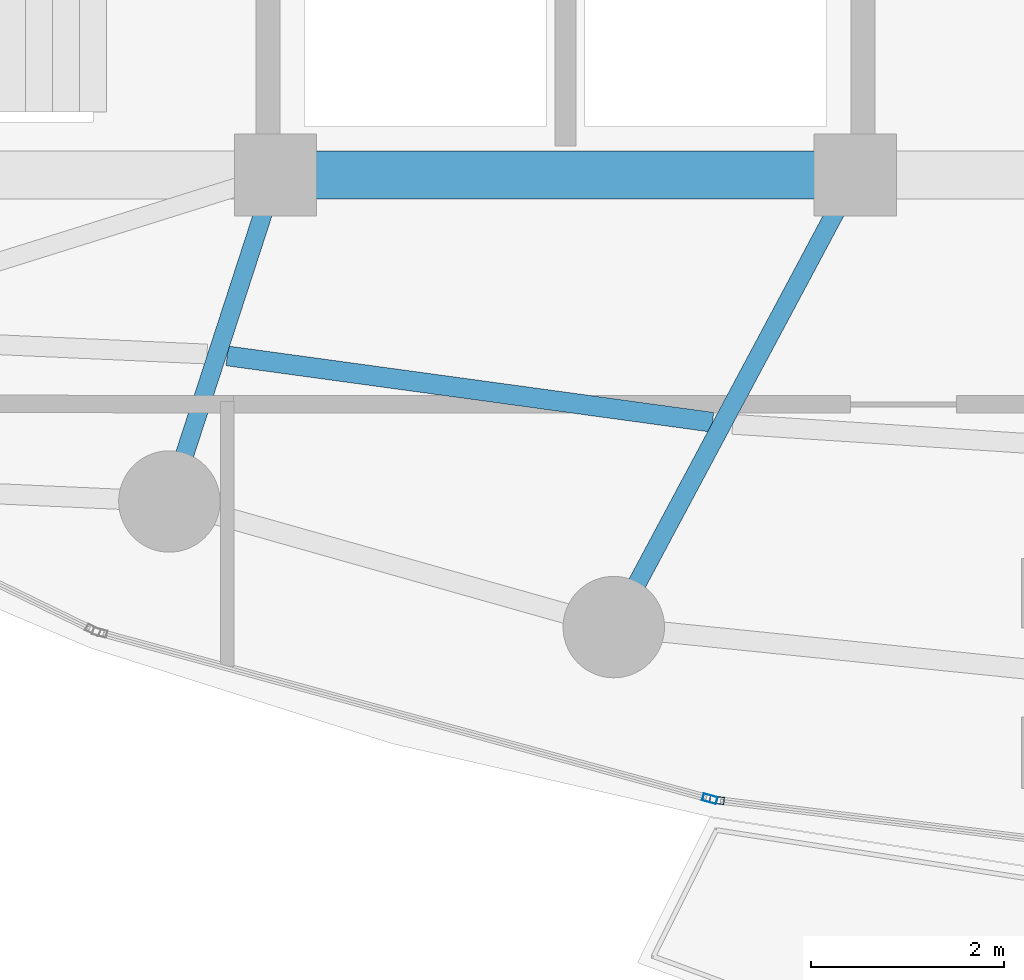
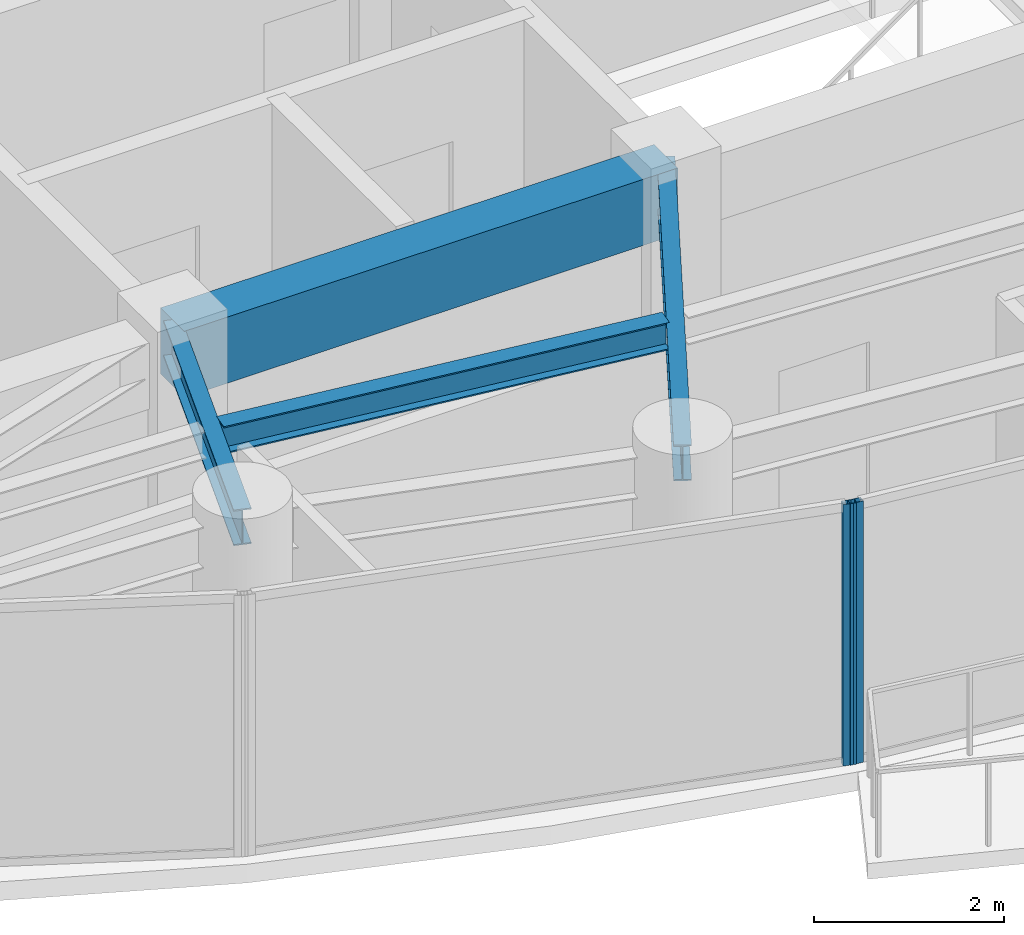
# One storey, part 5 of 31: 4 beams, 2 members, 2 elements without a shape of their own.
"""IFC4 building model written with IfcOpenShell, lengths in metres."""

from ifc_helpers import new_model, si_unit, direction, frame, origin, origin_2d, place, context, subcontext, project, spatial, rectangle, hollow_rectangle, i_section, extrude, material, layer, layer_set, material_profile, profile_set, type_object, element, aggregate, save


model = new_model("IFC4")

# Units and contexts
model_context = context("Model", 3, precision=1e-05, world=origin(), true_north=direction((0.0, 1.0)))
body_context = subcontext(model_context, "Body", "Model", "MODEL_VIEW")
ifc_project = project(units=[si_unit("LENGTHUNIT", "METRE"), si_unit("AREAUNIT", "SQUARE_METRE"), si_unit("VOLUMEUNIT", "CUBIC_METRE"), si_unit("PLANEANGLEUNIT", "RADIAN"), si_unit("MASSUNIT", "GRAM", prefix="KILO")], contexts=[model_context])

# Site, building, storey
site_placement = place(None, origin())
site = spatial("IfcSite", under=ifc_project, at=site_placement, CompositionType="ELEMENT")
building_placement = place(site_placement, origin())
building = spatial("IfcBuilding", under=site, at=building_placement, Name="Kazevale Care Tower and Concert Hall", CompositionType="ELEMENT")
storey_placement = place(building_placement, frame((0.0, 0.0, 210.0)))
storey = spatial("IfcBuildingStorey", under=building, at=storey_placement, Name="L55", CompositionType="ELEMENT", Elevation=210.0)

# Curtain wall, member
ifc_material_1 = material(Name="Aluminium 6063-T6 and Low-E Glass", Category="aluminium")
ifc_layer = layer(ifc_material_1, 0.179931640625)
ifc_layer_set = layer_set([ifc_layer], Name="Aluminium 6063-T6 and Low-E Glass")
curtain_wall_type = type_object("IfcCurtainWallType", Name="Sheltered Concave Balcony Curtain Wall CW-5", PredefinedType="NOTDEFINED", material=ifc_layer_set)
curtain_wall_1_placement = place(storey_placement, origin())
curtain_wall_1 = element("IfcCurtainWall", 1, at=curtain_wall_1_placement, inside=storey, type_object=curtain_wall_type, Name="cw:L55:f07", PredefinedType="NOTDEFINED")
ifc_material_2 = material(Name="Aluminium 6063-T6", Category="aluminium")
ifc_material_profile_1 = material_profile(ifc_material_2, hollow_rectangle(XDim=0.074951171875, YDim=0.14990234375, WallThickness=0.00390625, at=origin_2d()), Name="ALU75x150x4")
ifc_profile_set_1 = profile_set([ifc_material_profile_1], Name="Aluminium 6063-T6")
member_type = type_object("IfcMemberType", Name="CW-5 Mullion ALU75x150x4", PredefinedType="MULLION", material=ifc_profile_set_1)
member_1_placement = place(storey_placement, frame((34.568115234375, 17.12841796875, 0.0), z_axis=(0.0, 0.0, 1.0), x_axis=(-0.121650797964, -0.992572961225, 0.0)))
member_1 = element("IfcMember", 2, at=member_1_placement, type_object=member_type, Name="CW-5 mullion 2", PredefinedType="MULLION", context=body_context, shape_type="SweptSolid", body=[
    extrude(hollow_rectangle(XDim=0.074951171875, YDim=0.14990234375, WallThickness=0.00390625, at=origin_2d()), origin(), (0.0, 0.0, 1.0), 3.360107421875),
])
aggregate(curtain_wall_1, [member_1])

curtain_wall_2_placement = place(storey_placement, origin())
curtain_wall_2 = element("IfcCurtainWall", 3, at=curtain_wall_2_placement, inside=storey, type_object=curtain_wall_type, Name="cw:L55:f08", PredefinedType="NOTDEFINED")
member_2_placement = place(storey_placement, frame((34.494873046875, 17.142822265625, 0.0), z_axis=(0.0, 0.0, 1.0), x_axis=(-0.262848968947, -0.964836991167, 0.0)))
member_2 = element("IfcMember", 4, at=member_2_placement, type_object=member_type, Name="CW-5 mullion 1", PredefinedType="MULLION", context=body_context, shape_type="SweptSolid", body=[
    extrude(hollow_rectangle(XDim=0.074951171875, YDim=0.14990234375, WallThickness=0.00390625, at=origin_2d()), origin(), (0.0, 0.0, 1.0), 3.360107421875),
])
aggregate(curtain_wall_2, [member_2])

# Beams
ifc_material_3 = material(Name="Concrete C60", Category="concrete")
ifc_material_profile_2 = material_profile(ifc_material_3, rectangle(XDim=0.5, YDim=0.85009765625, at=origin_2d()), Name="RC-B500x850")
ifc_profile_set_2 = profile_set([ifc_material_profile_2], Name="Concrete C60")
beam_type_1 = type_object("IfcBeamType", Name="Core Coupling Beam RC500x850", PredefinedType="LINTEL", material=ifc_profile_set_2)
beam_1_placement = place(storey_placement, frame((30.0, 23.60009765625, 2.93505859375), z_axis=(1.0, 0.0, 0.0), x_axis=(0.0, 1.0, 0.0)))
element("IfcBeam", 5, at=beam_1_placement, inside=storey, type_object=beam_type_1, Name="beam:L55:coretie:2", PredefinedType="LINTEL", context=body_context, shape_type="SweptSolid", body=[
    extrude(rectangle(XDim=0.5, YDim=0.85009765625, at=origin_2d()), origin(), (0.0, 0.0, 1.0), 6.0),
])
ifc_material_4 = material(Name="Steel ASTM A572 Gr 50", Category="steel")
ifc_material_profile_3 = material_profile(ifc_material_4, i_section(OverallWidth=0.19091796875, OverallDepth=0.4599609375, WebThickness=0.010009765625, FlangeThickness=0.01611328125, at=origin_2d()), Name="W460x82")
ifc_profile_set_3 = profile_set([ifc_material_profile_3], Name="Steel ASTM A572 Gr 50")
beam_type_2 = type_object("IfcBeamType", Name="Radial Floor Beam W460x82", PredefinedType="BEAM", material=ifc_profile_set_3)
beam_2_placement = place(storey_placement, frame((30.0, 23.60009765625, 3.1298828125), z_axis=(-0.309482065101, -0.950905279921, 0.0), x_axis=(0.950905279921, -0.309482065101, 0.0)))
element("IfcBeam", 6, at=beam_2_placement, inside=storey, type_object=beam_type_2, Name="beam:L55:rad:11", PredefinedType="BEAM", context=body_context, shape_type="SweptSolid", body=[
    extrude(i_section(OverallWidth=0.19091796875, OverallDepth=0.4599609375, WebThickness=0.010009765625, FlangeThickness=0.01611328125, at=origin_2d()), origin(), (0.0, 0.0, 1.0), 3.5546875),
])
beam_3_placement = place(storey_placement, frame((36.0, 23.60009765625, 3.1298828125), z_axis=(-0.471161293943, -0.88204707079, 0.0), x_axis=(0.88204707079, -0.471161293943, 0.0)))
element("IfcBeam", 7, at=beam_3_placement, inside=storey, type_object=beam_type_2, Name="beam:L55:rad:12", PredefinedType="BEAM", context=body_context, shape_type="SweptSolid", body=[
    extrude(i_section(OverallWidth=0.19091796875, OverallDepth=0.4599609375, WebThickness=0.010009765625, FlangeThickness=0.01611328125, at=origin_2d()), origin(), (0.0, 0.0, 1.0), 5.30615234375),
])
ifc_material_profile_4 = material_profile(ifc_material_4, i_section(OverallWidth=0.205078125, OverallDepth=0.35400390625, WebThickness=0.009521484375, FlangeThickness=0.016845703125, at=origin_2d()), Name="W360x79")
ifc_profile_set_4 = profile_set([ifc_material_profile_4], Name="Steel ASTM A572 Gr 50")
beam_type_3 = type_object("IfcBeamType", Name="Secondary Floor Joist W360x79", PredefinedType="JOIST", material=ifc_profile_set_4)
beam_4_placement = place(storey_placement, frame((29.4990234375, 21.72705078125, 3.18310546875), z_axis=(0.990772043119, -0.13553877148, 0.0), x_axis=(0.13553877148, 0.990772043119, 0.0)))
element("IfcBeam", 8, at=beam_4_placement, inside=storey, type_object=beam_type_3, Name="beam:L55:joist:11", PredefinedType="JOIST", context=body_context, shape_type="SweptSolid", body=[
    extrude(i_section(OverallWidth=0.205078125, OverallDepth=0.35400390625, WebThickness=0.009521484375, FlangeThickness=0.016845703125, at=origin_2d()), origin(), (0.0, 0.0, 1.0), 5.06884765625),
])

save(model, "model.ifc")
